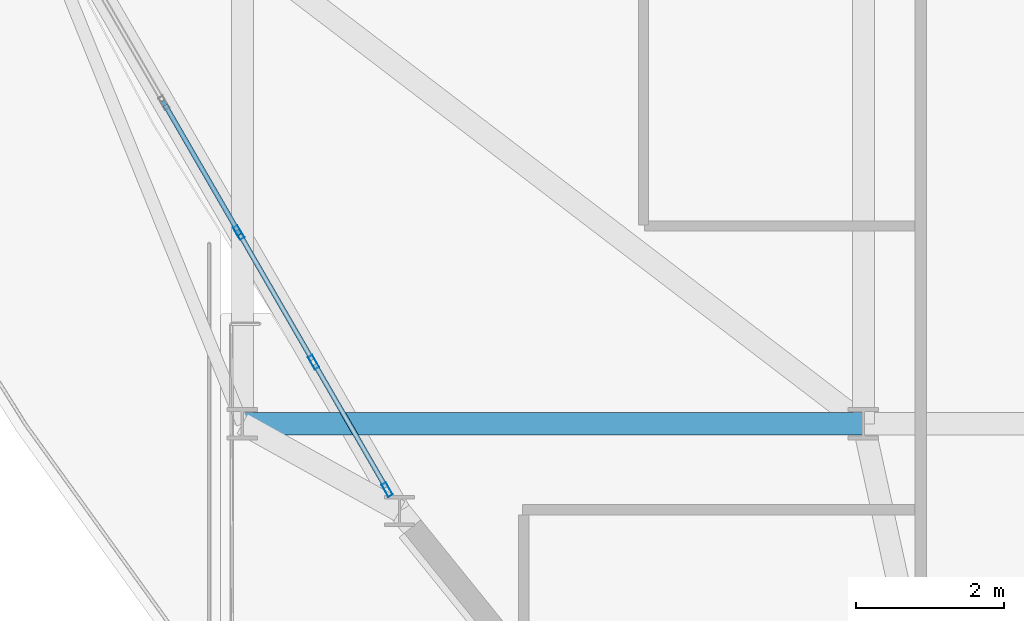
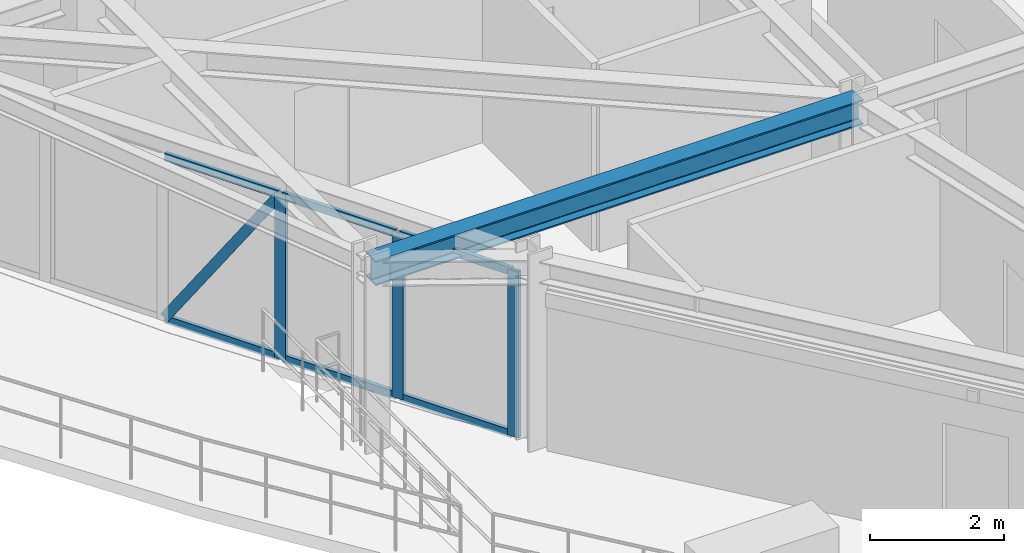
# One storey, part 2 of 19: 10 members, 1 beam, 1 element without a shape of its own.
"""IFC4 building model written with IfcOpenShell, lengths in metres."""

from ifc_helpers import new_model, si_unit, derived_unit, direction, frame, origin, origin_2d, place, context, subcontext, project, spatial, hollow_rectangle, i_section, extrude, source, transform, mapped, material, layer, layer_set, material_profile, profile_set, type_object, element, aggregate, save


model = new_model("IFC4")

# Units and contexts
model_context = context("Model", 3, precision=1e-05, world=origin(), true_north=direction((0.0, 1.0)))
body_context = subcontext(model_context, "Body", "Model", "MODEL_VIEW")
ifc_project = project(units=[si_unit("LENGTHUNIT", "METRE"), si_unit("AREAUNIT", "SQUARE_METRE"), si_unit("VOLUMEUNIT", "CUBIC_METRE"), si_unit("PLANEANGLEUNIT", "RADIAN"), si_unit("MASSUNIT", "GRAM", prefix="KILO"), derived_unit("THERMALTRANSMITTANCEUNIT", [(si_unit("POWERUNIT", "WATT"), 1), (si_unit("LENGTHUNIT", "METRE"), -2), (si_unit("THERMODYNAMICTEMPERATUREUNIT", "KELVIN"), -1)])], contexts=[model_context])

# Site, building, storey
site_placement = place(None, origin())
site = spatial("IfcSite", under=ifc_project, at=site_placement, CompositionType="ELEMENT")
building_placement = place(site_placement, origin())
building = spatial("IfcBuilding", under=site, at=building_placement, Name="Korsvarv Bourse and Concert Hall", CompositionType="ELEMENT")
storey_placement = place(building_placement, frame((0.0, 0.0, 205.800048828125)))
storey = spatial("IfcBuildingStorey", under=building, at=storey_placement, Name="L53", CompositionType="ELEMENT", Elevation=205.800048828125)

# Beam
ifc_material_1 = material(Name="Steel S355", Category="steel")
ifc_material_profile_1 = material_profile(ifc_material_1, i_section(OverallWidth=0.300048828125, OverallDepth=0.449951171875, WebThickness=0.013916015625, FlangeThickness=0.02587890625, FilletRadius=0.02099609375, at=origin_2d()), Name="HEB 450")
ifc_profile_set_1 = profile_set([ifc_material_profile_1], Name="Steel S355")
beam_type = type_object("IfcBeamType", Name="BM-HEB450", PredefinedType="SPANDREL", material=ifc_profile_set_1)
shared_shape_1 = source(origin(), body_context, "Body", "SweptSolid", [
    extrude(i_section(OverallWidth=0.300048828125, OverallDepth=0.449951171875, WebThickness=0.013916015625, FlangeThickness=0.02587890625, FilletRadius=0.02099609375, at=origin_2d()), origin(), (0.0, 0.0, 1.0), 8.39990234375),
])
beam_placement = place(storey_placement, frame((27.60009765625, 24.0, 3.18505859375), z_axis=(1.0, 0.0, 0.0), x_axis=(0.0, 1.0, 0.0)))
element("IfcBeam", 1, at=beam_placement, inside=storey, type_object=beam_type, Name="L53 beam B-08", PredefinedType="SPANDREL", context=body_context, shape_type="MappedRepresentation", body=[
    mapped(shared_shape_1, transform((0.0, 0.0, 0.0), scale=1.0)),
])

# Curtain wall, members
ifc_material_2 = material(Name="Anodised aluminium and triple low-E glazing", Category="glass")
ifc_layer = layer(ifc_material_2, 0.199951171875)
ifc_layer_set = layer_set([ifc_layer], Name="Anodised aluminium and triple low-E glazing")
curtain_wall_type = type_object("IfcCurtainWallType", Name="CW-SYS-3", PredefinedType="NOTDEFINED", material=ifc_layer_set)
curtain_wall_placement = place(storey_placement, origin())
curtain_wall = element("IfcCurtainWall", 2, at=curtain_wall_placement, inside=storey, type_object=curtain_wall_type, Name="L53 CW3 curtain wall CW-L53-F07-2", PredefinedType="NOTDEFINED")
ifc_material_3 = material(Name="Extruded aluminium EN AW-6063 T66", Category="aluminium")
ifc_material_profile_2 = material_profile(ifc_material_3, hollow_rectangle(XDim=0.070068359375, YDim=0.18994140625, WallThickness=0.0048828125, at=origin_2d()), Name="ALU-M 70x190")
ifc_profile_set_2 = profile_set([ifc_material_profile_2], Name="Extruded aluminium EN AW-6063 T66")
member_type_1 = type_object("IfcMemberType", Name="CWM-190", PredefinedType="MULLION", material=ifc_profile_set_2)
shared_shape_2 = source(origin(), body_context, "Body", "SweptSolid", [
    extrude(hollow_rectangle(XDim=0.070068359375, YDim=0.18994140625, WallThickness=0.0048828125, at=origin_2d()), origin(), (0.0, 0.0, 1.0), 3.02001953125),
])
member_1_placement = place(storey_placement, frame((27.550048828125, 26.5869140625, 0.0), z_axis=(0.0, 0.0, 1.0), x_axis=(0.866026111776, 0.49999877372, 0.0)))
member_1 = element("IfcMember", 3, at=member_1_placement, type_object=member_type_1, Name="CW3 mullion 4", PredefinedType="MULLION", context=body_context, shape_type="MappedRepresentation", body=[
    mapped(shared_shape_2, transform((0.0, 0.0, 0.0), scale=1.0)),
])
member_2_placement = place(storey_placement, frame((28.56298828125, 24.83251953125, 0.0), z_axis=(0.0, 0.0, 1.0), x_axis=(0.866026111776, 0.49999877372, 0.0)))
member_2 = element("IfcMember", 4, at=member_2_placement, type_object=member_type_1, Name="CW3 mullion 5", PredefinedType="MULLION", context=body_context, shape_type="MappedRepresentation", body=[
    mapped(shared_shape_2, transform((0.0, 0.0, 0.0), scale=1.0)),
])
member_3_placement = place(storey_placement, frame((29.558349609375, 23.1083984375, 0.0), z_axis=(0.0, 0.0, 1.0), x_axis=(0.866026111776, 0.49999877372, 0.0)))
member_3 = element("IfcMember", 5, at=member_3_placement, type_object=member_type_1, Name="CW3 mullion 6", PredefinedType="MULLION", context=body_context, shape_type="MappedRepresentation", body=[
    mapped(shared_shape_2, transform((0.0, 0.0, 0.0), scale=1.0)),
])
ifc_material_profile_3 = material_profile(ifc_material_3, hollow_rectangle(XDim=0.06494140625, YDim=0.139892578125, WallThickness=0.00390625, at=origin_2d()), Name="ALU-T 65x140")
ifc_profile_set_3 = profile_set([ifc_material_profile_3], Name="Extruded aluminium EN AW-6063 T66")
member_type_2 = type_object("IfcMemberType", Name="CWT-140", PredefinedType="USERDEFINED", material=ifc_profile_set_3)
shared_shape_3 = source(origin(), body_context, "Body", "SweptSolid", [
    extrude(hollow_rectangle(XDim=0.06494140625, YDim=0.139892578125, WallThickness=0.00390625, at=origin_2d()), origin(), (0.0, 0.0, 1.0), 1.920654296875),
])
member_4_placement = place(storey_placement, frame((28.58056640625, 24.802001953125, 0.032470703125), z_axis=(0.500048867987, -0.865997188001, 0.0), x_axis=(0.865997188001, 0.500048867987, 0.0)))
member_4 = element("IfcMember", 6, at=member_4_placement, type_object=member_type_2, Name="CW3 transom 5.1", ObjectType="TRANSOM", PredefinedType="USERDEFINED", context=body_context, shape_type="MappedRepresentation", body=[
    mapped(shared_shape_3, transform((0.0, 0.0, 0.0), scale=1.0)),
])
member_5_placement = place(storey_placement, frame((28.58056640625, 24.802001953125, 2.987548828125), z_axis=(0.500048867987, -0.865997188001, 0.0), x_axis=(0.865997188001, 0.500048867987, 0.0)))
member_5 = element("IfcMember", 7, at=member_5_placement, type_object=member_type_2, Name="CW3 transom 5.2", ObjectType="TRANSOM", PredefinedType="USERDEFINED", context=body_context, shape_type="MappedRepresentation", body=[
    mapped(shared_shape_3, transform((0.0, 0.0, 0.0), scale=1.0)),
])
shared_shape_4 = source(origin(), body_context, "Body", "SweptSolid", [
    extrude(hollow_rectangle(XDim=0.06494140625, YDim=0.139892578125, WallThickness=0.00390625, at=origin_2d()), origin(), (0.0, 0.0, 1.0), 1.955810546875),
])
member_6_placement = place(storey_placement, frame((26.5546875, 28.310791015625, 0.032470703125), z_axis=(0.500086243919, -0.865975605109, 0.0), x_axis=(0.865975605109, 0.500086243919, 0.0)))
member_6 = element("IfcMember", 8, at=member_6_placement, type_object=member_type_2, Name="CW3 transom 3.1", ObjectType="TRANSOM", PredefinedType="USERDEFINED", context=body_context, shape_type="MappedRepresentation", body=[
    mapped(shared_shape_4, transform((0.0, 0.0, 0.0), scale=1.0)),
])
member_7_placement = place(storey_placement, frame((26.5546875, 28.310791015625, 2.987548828125), z_axis=(0.500086243919, -0.865975605109, 0.0), x_axis=(0.865975605109, 0.500086243919, 0.0)))
member_7 = element("IfcMember", 9, at=member_7_placement, type_object=member_type_2, Name="CW3 transom 3.2", ObjectType="TRANSOM", PredefinedType="USERDEFINED", context=body_context, shape_type="MappedRepresentation", body=[
    mapped(shared_shape_4, transform((0.0, 0.0, 0.0), scale=1.0)),
])
ifc_material_profile_4 = material_profile(ifc_material_3, hollow_rectangle(XDim=0.06494140625, YDim=0.1650390625, WallThickness=0.0048828125, at=origin_2d()), Name="ALU-M 65x165")
ifc_profile_set_4 = profile_set([ifc_material_profile_4], Name="Extruded aluminium EN AW-6063 T66")
member_type_3 = type_object("IfcMemberType", Name="CWM-165", PredefinedType="MULLION", material=ifc_profile_set_4)
shared_shape_5 = source(origin(), body_context, "Body", "SweptSolid", [
    extrude(hollow_rectangle(XDim=0.06494140625, YDim=0.1650390625, WallThickness=0.0048828125, at=origin_2d()), origin(), (0.0, 0.0, 1.0), 3.489501953125),
])
member_8_placement = place(storey_placement, frame((26.5546875, 28.310791015625, 0.06494140625), z_axis=(0.280280677309, -0.485348741511, 0.828178326836), x_axis=(0.865975605109, 0.500086243919, 0.0)))
member_8 = element("IfcMember", 10, at=member_8_placement, type_object=member_type_3, Name="CW3 diagonal mullion 3", PredefinedType="MULLION", context=body_context, shape_type="MappedRepresentation", body=[
    mapped(shared_shape_5, transform((0.0, 0.0, 0.0), scale=1.0)),
])
shared_shape_6 = source(origin(), body_context, "Body", "SweptSolid", [
    extrude(hollow_rectangle(XDim=0.06494140625, YDim=0.139892578125, WallThickness=0.00390625, at=origin_2d()), origin(), (0.0, 0.0, 1.0), 1.95556640625),
])
member_9_placement = place(storey_placement, frame((27.567626953125, 26.556396484375, 0.032470703125), z_axis=(0.499992620187, -0.866029664479, 0.0), x_axis=(0.866029664479, 0.499992620187, 0.0)))
member_9 = element("IfcMember", 11, at=member_9_placement, type_object=member_type_2, Name="CW3 transom 4.1", ObjectType="TRANSOM", PredefinedType="USERDEFINED", context=body_context, shape_type="MappedRepresentation", body=[
    mapped(shared_shape_6, transform((0.0, 0.0, 0.0), scale=1.0)),
])
member_10_placement = place(storey_placement, frame((27.567626953125, 26.556396484375, 2.987548828125), z_axis=(0.499992620187, -0.866029664479, 0.0), x_axis=(0.866029664479, 0.499992620187, 0.0)))
member_10 = element("IfcMember", 12, at=member_10_placement, type_object=member_type_2, Name="CW3 transom 4.2", ObjectType="TRANSOM", PredefinedType="USERDEFINED", context=body_context, shape_type="MappedRepresentation", body=[
    mapped(shared_shape_6, transform((0.0, 0.0, 0.0), scale=1.0)),
])
aggregate(curtain_wall, [member_1, member_2, member_3, member_6, member_7, member_8, member_9, member_10, member_4, member_5])

save(model, "model.ifc")
